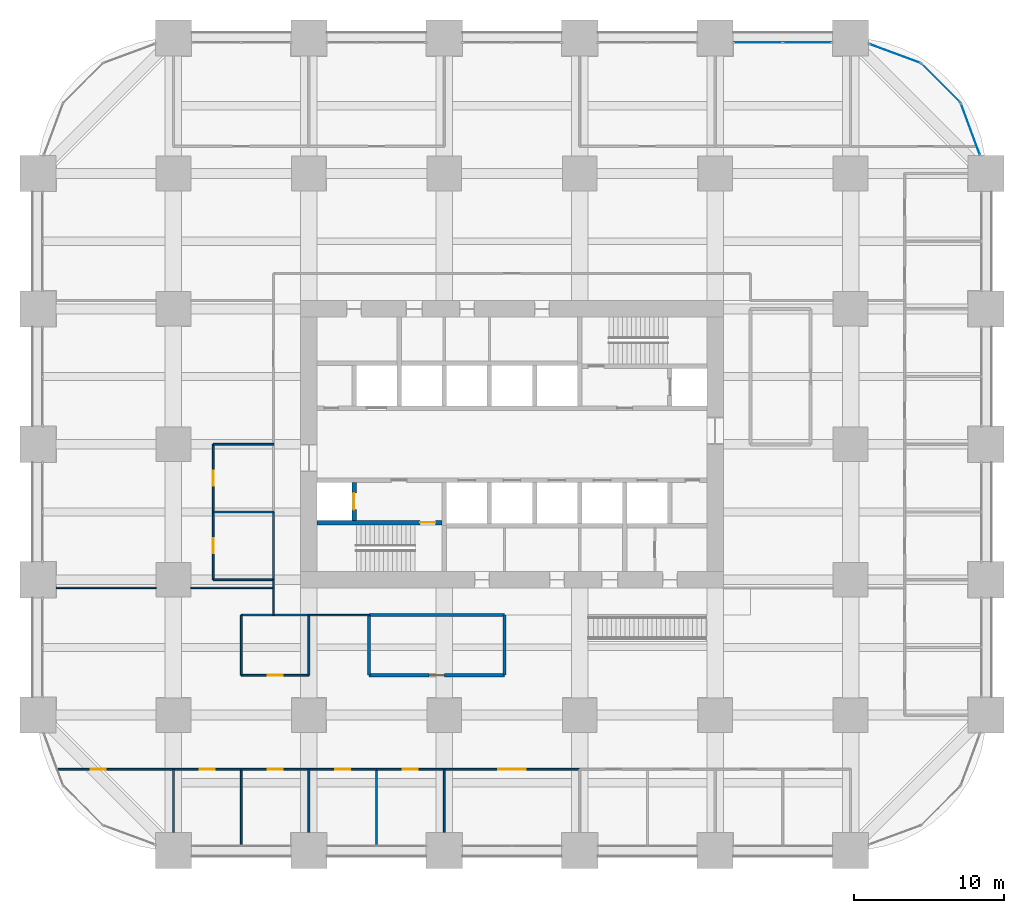
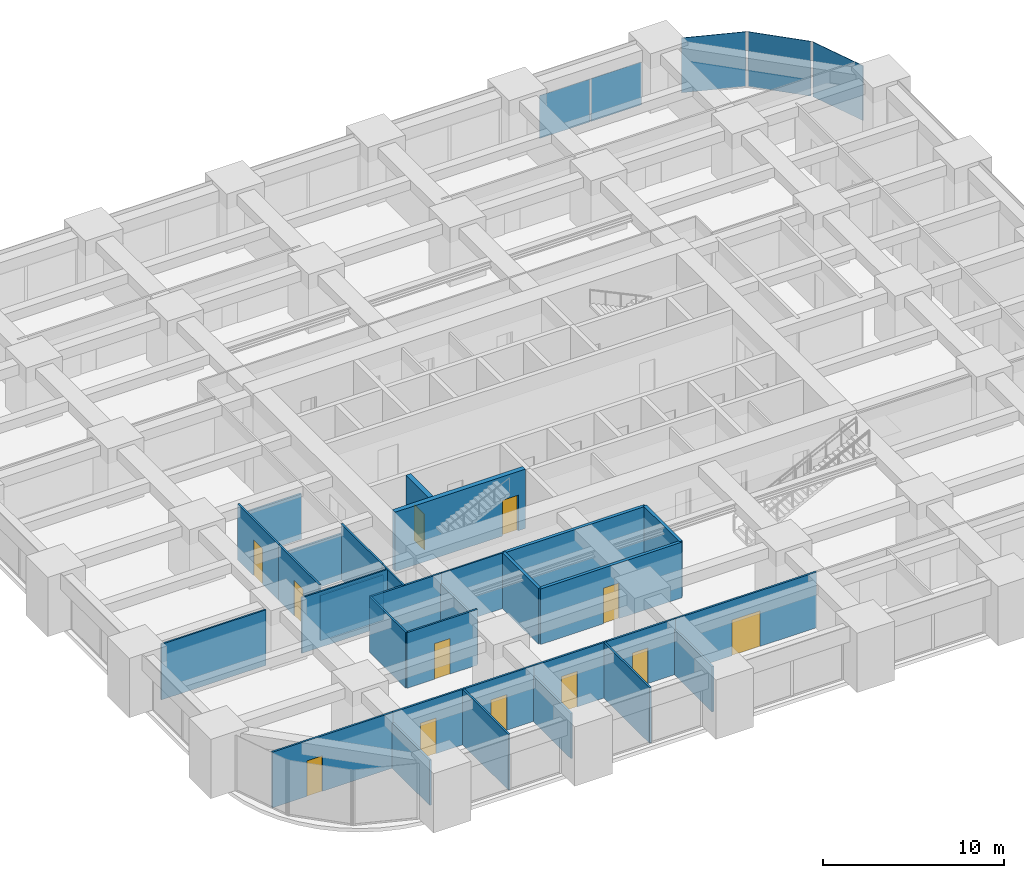
# One storey, part 39 of 45: 31 walls, 12 doors, 5 plates, 12 openings, 4 elements without a shape of their own.
"""IFC4 building model written with IfcOpenShell, lengths in metres."""

from ifc_helpers import new_model, si_unit, direction, frame, frame_2d, origin, origin_2d, place, context, subcontext, project, spatial, rectangle, extrude, material, layer, layer_set, type_object, element, fill, aggregate, save


model = new_model("IFC4")

# Units and contexts
model_context = context("Model", 3, precision=1e-05, world=origin(), true_north=direction((0.0, 1.0)))
body_context = subcontext(model_context, "Body", "Model", "MODEL_VIEW")
ifc_project = project(units=[si_unit("LENGTHUNIT", "METRE"), si_unit("AREAUNIT", "SQUARE_METRE"), si_unit("VOLUMEUNIT", "CUBIC_METRE"), si_unit("PLANEANGLEUNIT", "RADIAN"), si_unit("MASSUNIT", "GRAM", prefix="KILO")], contexts=[model_context])

# Site, building, storey
site_placement = place(None, origin())
site = spatial("IfcSite", under=ifc_project, at=site_placement, CompositionType="ELEMENT")
building_placement = place(site_placement, origin())
building = spatial("IfcBuilding", under=site, at=building_placement, Name="Zorevar Civic Tower", CompositionType="ELEMENT")
storey_placement = place(building_placement, frame((0.0, 0.0, 23.800048828125)))
storey = spatial("IfcBuildingStorey", under=building, at=storey_placement, Name="L05", CompositionType="ELEMENT", Elevation=23.800048828125)

# Curtain wall, plates
ifc_material_1 = material(Name="Dark grey solar-control glass in black aluminium frame", Category="aluminium")
curtain_wall_type = type_object("IfcCurtainWallType", Name="Curtain wall CW2 low zone", PredefinedType="NOTDEFINED", material=ifc_material_1)
curtain_wall_1_placement = place(storey_placement, origin())
curtain_wall_1 = element("IfcCurtainWall", 1, at=curtain_wall_1_placement, inside=storey, type_object=curtain_wall_type, Name="CW2 L05", PredefinedType="NOTDEFINED")
ifc_material_2 = material(Name="Dark grey solar-control glass", Category="glass")
ifc_layer_1 = layer(ifc_material_2, 0.031982421875)
ifc_layer_set_1 = layer_set([ifc_layer_1], Name="CW2 panel 32")
plate_type = type_object("IfcPlateType", Name="CW2 panel 32", PredefinedType="CURTAIN_PANEL", material=ifc_layer_set_1)
plate_1_placement = place(storey_placement, frame((47.864990234375, 53.699951171875, 0.06005859375), z_axis=(0.0, 0.0, 1.0), x_axis=(1.0, 0.0, 0.0)))
plate_1 = element("IfcPlate", 2, at=plate_1_placement, type_object=plate_type, Name="CW2 panel 1.1", PredefinedType="CURTAIN_PANEL", context=body_context, shape_type="SweptSolid", body=[
    extrude(rectangle(XDim=3.2099609375, YDim=0.031982421875, at=origin_2d()), origin(), (0.0, 0.0, 1.0), 2.889892578125),
])
plate_2_placement = place(storey_placement, frame((51.135009765625, 53.699951171875, 0.06005859375), z_axis=(0.0, 0.0, 1.0), x_axis=(1.0, 0.0, 0.0)))
plate_2 = element("IfcPlate", 3, at=plate_2_placement, type_object=plate_type, Name="CW2 panel 2.1", PredefinedType="CURTAIN_PANEL", context=body_context, shape_type="SweptSolid", body=[
    extrude(rectangle(XDim=3.2099609375, YDim=0.031982421875, at=origin_2d()), origin(), (0.0, 0.0, 1.0), 2.889892578125),
])
aggregate(curtain_wall_1, [plate_1, plate_2])

# Curtain wall, plate
curtain_wall_2_placement = place(storey_placement, origin())
curtain_wall_2 = element("IfcCurtainWall", 4, at=curtain_wall_2_placement, inside=storey, type_object=curtain_wall_type, Name="CW2 L05", PredefinedType="NOTDEFINED")
plate_3_placement = place(storey_placement, frame((61.97119140625, 47.9462890625, 0.06005859375), z_axis=(0.0, 0.0, 1.0), x_axis=(-0.346704012033, 0.937974588163, 0.0)))
plate_3 = element("IfcPlate", 5, at=plate_3_placement, type_object=plate_type, Name="CW2 panel 1.1", PredefinedType="CURTAIN_PANEL", context=body_context, shape_type="SweptSolid", body=[
    extrude(rectangle(XDim=3.603759765625, YDim=0.031982421875, at=origin_2d()), origin(), (0.0, 0.0, 1.0), 3.68994140625),
])
aggregate(curtain_wall_2, [plate_3])

curtain_wall_3_placement = place(storey_placement, origin())
curtain_wall_3 = element("IfcCurtainWall", 6, at=curtain_wall_3_placement, inside=storey, type_object=curtain_wall_type, Name="CW2 L05", PredefinedType="NOTDEFINED")
plate_4_placement = place(storey_placement, frame((60.00927734375, 51.00927734375, 0.06005859375), z_axis=(0.0, 0.0, 1.0), x_axis=(-0.707106781187, 0.707106781187, 0.0)))
plate_4 = element("IfcPlate", 7, at=plate_4_placement, type_object=plate_type, Name="CW2 panel 1.1", PredefinedType="CURTAIN_PANEL", context=body_context, shape_type="SweptSolid", body=[
    extrude(rectangle(XDim=3.603759765625, YDim=0.031982421875, at=origin_2d()), origin(), (0.0, 0.0, 1.0), 3.68994140625),
])
aggregate(curtain_wall_3, [plate_4])

curtain_wall_4_placement = place(storey_placement, origin())
curtain_wall_4 = element("IfcCurtainWall", 8, at=curtain_wall_4_placement, inside=storey, type_object=curtain_wall_type, Name="CW2 L05", PredefinedType="NOTDEFINED")
plate_5_placement = place(storey_placement, frame((56.9462890625, 52.97119140625, 0.06005859375), z_axis=(0.0, 0.0, 1.0), x_axis=(-0.937974588163, 0.346704012033, 0.0)))
plate_5 = element("IfcPlate", 9, at=plate_5_placement, type_object=plate_type, Name="CW2 panel 1.1", PredefinedType="CURTAIN_PANEL", context=body_context, shape_type="SweptSolid", body=[
    extrude(rectangle(XDim=3.603759765625, YDim=0.031982421875, at=origin_2d()), origin(), (0.0, 0.0, 1.0), 3.68994140625),
])
aggregate(curtain_wall_4, [plate_5])

# Wall, opening, door
ifc_material_3 = material(Name="Concrete blockwork", Category="masonry")
ifc_layer_2 = layer(ifc_material_3, 0.199951171875)
ifc_layer_set_2 = layer_set([ifc_layer_2], Name="Blockwork wall 200")
wall_type_1 = type_object("IfcWallType", Name="Blockwork wall 200", PredefinedType="SOLIDWALL", material=ifc_layer_set_2)
wall_1_placement = place(storey_placement, frame((22.0, 11.64990234375, 0.0), z_axis=(0.0, 0.0, 1.0), x_axis=(1.0, 0.0, 0.0)))
wall_1 = element("IfcWall", 10, at=wall_1_placement, inside=storey, type_object=wall_type_1, Name="Blockwork wall 200 L05", PredefinedType="SOLIDWALL", context=body_context, shape_type="SweptSolid", body=[
    extrude(rectangle(XDim=9.0, YDim=0.199951171875, at=frame_2d((4.5, 0.0))), origin(), (0.0, 0.0, 1.0), 3.75),
])
opening_1_placement = place(wall_1_placement, frame((4.0, 0.0, 0.0)))
opening_1 = element("IfcOpeningElement", 11, at=opening_1_placement, cuts=wall_1, Name="Opening L05.27", PredefinedType="OPENING", context=body_context, shape_type="SweptSolid", body=[
    extrude(rectangle(XDim=1.0, YDim=2.39990234375, at=frame_2d((0.5, 1.199951171875))), frame((0.0, 0.10986328125, 0.0), z_axis=(0.0, -1.0, 0.0), x_axis=(1.0, 0.0, 0.0)), (0.0, 0.0, 1.0), 0.219970703125),
])
ifc_material_4 = material(Name="Steel door set", Category="steel")
door_type_1 = type_object("IfcDoorType", Name="Security door SD1 1000x2400", OperationType="SINGLE_SWING_LEFT", PredefinedType="DOOR", material=ifc_material_4)
door_1_placement = place(opening_1_placement, origin())
door_1 = element("IfcDoor", 12, at=door_1_placement, inside=storey, type_object=door_type_1, Name="Door L05 D1", OperationType="SINGLE_SWING_LEFT", OverallHeight=2.39990234375, OverallWidth=1.0, PredefinedType="DOOR", context=body_context, shape_type="SweptSolid", body=[
    extrude(rectangle(XDim=1.0, YDim=2.39990234375, at=frame_2d((0.5, 1.199951171875))), frame((0.0, 0.03515625, 0.0), z_axis=(0.0, -1.0, 0.0), x_axis=(1.0, 0.0, 0.0)), (0.0, 0.0, 1.0), 0.070068359375),
])
fill(opening_1, door_1)

# Walls
wall_2_placement = place(storey_placement, frame((22.0, 15.64990234375, 0.0), z_axis=(0.0, 0.0, 1.0), x_axis=(1.0, 0.0, 0.0)))
element("IfcWall", 13, at=wall_2_placement, inside=storey, type_object=wall_type_1, Name="Blockwork wall 200 L05", PredefinedType="SOLIDWALL", context=body_context, shape_type="SweptSolid", body=[
    extrude(rectangle(XDim=9.0, YDim=0.199951171875, at=frame_2d((4.5, 0.0))), origin(), (0.0, 0.0, 1.0), 3.75),
])
for number, where, z_axis, x_axis, name in (
    (14, (22.0, 11.64990234375, 0.0), (0.0, 0.0, 1.0), (0.0, 1.0, 0.0), "Blockwork wall 200 L05"),
    (15, (31.0, 11.64990234375, 0.0), (0.0, 0.0, 1.0), (0.0, 1.0, 0.0), "Blockwork wall 200 L05"),
):
    element("IfcWall", number, at=place(storey_placement, frame(where, z_axis=z_axis, x_axis=x_axis)), inside=storey, type_object=wall_type_1, Name=name, PredefinedType="SOLIDWALL", context=body_context, shape_type="SweptSolid", body=[
        extrude(rectangle(XDim=4.0, YDim=0.199951171875, at=frame_2d((2.0, 0.0))), origin(), (0.0, 0.0, 1.0), 3.75),
    ])
ifc_material_5 = material(Name="Laminated glass in black aluminium frame", Category="aluminium")
ifc_layer_3 = layer(ifc_material_5, 0.10009765625)
ifc_layer_set_3 = layer_set([ifc_layer_3], Name="Glazed partition 100")
wall_type_2 = type_object("IfcWallType", Name="Glazed partition 100", PredefinedType="PARTITIONING", material=ifc_layer_set_3)
wall_3_placement = place(storey_placement, frame((18.0, 15.64990234375, 0.0), z_axis=(0.0, 0.0, 1.0), x_axis=(1.0, 0.0, 0.0)))
element("IfcWall", 16, at=wall_3_placement, inside=storey, type_object=wall_type_2, Name="Glazed partition 100 L05", PredefinedType="PARTITIONING", context=body_context, shape_type="SweptSolid", body=[
    extrude(rectangle(XDim=4.0, YDim=0.10009765625, at=frame_2d((2.0, 0.0))), origin(), (0.0, 0.0, 1.0), 3.75),
])
wall_4_placement = place(storey_placement, frame((1.199951171875, 17.449951171875, 0.0), z_axis=(0.0, 0.0, 1.0), x_axis=(1.0, 0.0, 0.0)))
element("IfcWall", 17, at=wall_4_placement, inside=storey, type_object=wall_type_2, Name="Glazed partition 100 L05", PredefinedType="PARTITIONING", context=body_context, shape_type="SweptSolid", body=[
    extrude(rectangle(XDim=6.650146484375, YDim=0.10009765625, at=frame_2d((3.3251953125, 0.0))), origin(), (0.0, 0.0, 1.0), 3.75),
])
wall_5_placement = place(storey_placement, frame((10.14990234375, 17.449951171875, 0.0), z_axis=(0.0, 0.0, 1.0), x_axis=(1.0, 0.0, 0.0)))
element("IfcWall", 18, at=wall_5_placement, inside=storey, type_object=wall_type_2, Name="Glazed partition 100 L05", PredefinedType="PARTITIONING", context=body_context, shape_type="SweptSolid", body=[
    extrude(rectangle(XDim=5.5, YDim=0.10009765625, at=frame_2d((2.75, 0.0))), origin(), (0.0, 0.0, 1.0), 3.75),
])
wall_6_placement = place(storey_placement, frame((15.64990234375, 15.64990234375, 0.0), z_axis=(0.0, 0.0, 1.0), x_axis=(0.0, 1.0, 0.0)))
element("IfcWall", 19, at=wall_6_placement, inside=storey, type_object=wall_type_2, Name="Glazed partition 100 L05", PredefinedType="PARTITIONING", context=body_context, shape_type="SweptSolid", body=[
    extrude(rectangle(XDim=2.35009765625, YDim=0.10009765625, at=frame_2d((1.175048828125, 0.0))), origin(), (0.0, 0.0, 1.0), 3.75),
])

# Wall, opening, door
ifc_material_6 = material(Name="Concrete C40/50", Category="concrete")
ifc_layer_4 = layer(ifc_material_6, 0.300048828125)
ifc_layer_set_4 = layer_set([ifc_layer_4], Name="Inner core wall 300")
wall_type_3 = type_object("IfcWallType", Name="Inner core wall 300", PredefinedType="SHEAR", material=ifc_layer_set_4)
wall_7_placement = place(storey_placement, frame((18.550048828125, 21.800048828125, 0.0), z_axis=(0.0, 0.0, 1.0), x_axis=(1.0, 0.0, 0.0)))
wall_7 = element("IfcWall", 20, at=wall_7_placement, inside=storey, type_object=wall_type_3, Name="Inner core wall S00 L05", PredefinedType="SHEAR", context=body_context, shape_type="SweptSolid", body=[
    extrude(rectangle(XDim=8.300048828125, YDim=0.300048828125, at=frame_2d((4.14990234375, 0.0))), origin(), (0.0, 0.0, 1.0), 4.0),
])
opening_2_placement = place(wall_7_placement, frame((6.85009765625, 0.0, 0.0)))
opening_2 = element("IfcOpeningElement", 21, at=opening_2_placement, cuts=wall_7, Name="Opening L05.11", PredefinedType="OPENING", context=body_context, shape_type="SweptSolid", body=[
    extrude(rectangle(XDim=1.0, YDim=2.39990234375, at=frame_2d((0.5, 1.199951171875))), frame((0.0, 0.159912109375, 0.0), z_axis=(0.0, -1.0, 0.0), x_axis=(1.0, 0.0, 0.0)), (0.0, 0.0, 1.0), 0.320068359375),
])
ifc_material_7 = material(Name="Steel door set", Category="steel")
door_type_2 = type_object("IfcDoorType", Name="Fire door FD1 1000x2400", OperationType="SINGLE_SWING_LEFT", PredefinedType="DOOR", material=ifc_material_7)
door_2_placement = place(opening_2_placement, origin())
door_2 = element("IfcDoor", 22, at=door_2_placement, inside=storey, type_object=door_type_2, Name="Door L05 10", OperationType="SINGLE_SWING_RIGHT", OverallHeight=2.39990234375, OverallWidth=1.0, PredefinedType="DOOR", context=body_context, shape_type="SweptSolid", body=[
    extrude(rectangle(XDim=1.0, YDim=2.39990234375, at=frame_2d((0.5, 1.199951171875))), frame((0.0, 0.030029296875, 0.0), z_axis=(0.0, -1.0, 0.0), x_axis=(1.0, 0.0, 0.0)), (0.0, 0.0, 1.0), 0.06005859375),
])
fill(opening_2, door_2)

wall_8_placement = place(storey_placement, frame((21.0, 21.949951171875, 0.0), z_axis=(0.0, 0.0, 1.0), x_axis=(0.0, 1.0, 0.0)))
wall_8 = element("IfcWall", 23, at=wall_8_placement, inside=storey, type_object=wall_type_3, Name="Inner core wall S02 L05", PredefinedType="SHEAR", context=body_context, shape_type="SweptSolid", body=[
    extrude(rectangle(XDim=2.5, YDim=0.300048828125, at=frame_2d((1.25, 0.0))), origin(), (0.0, 0.0, 1.0), 4.0),
])
opening_3_placement = place(wall_8_placement, frame((0.699951171875, 0.0, 0.0)))
opening_3 = element("IfcOpeningElement", 24, at=opening_3_placement, cuts=wall_8, Name="Opening L05.FL1", PredefinedType="OPENING", context=body_context, shape_type="SweptSolid", body=[
    extrude(rectangle(XDim=1.10009765625, YDim=2.39990234375, at=frame_2d((0.550048828125, 1.199951171875))), frame((0.0, 0.159912109375, 0.0), z_axis=(0.0, -1.0, 0.0), x_axis=(1.0, 0.0, 0.0)), (0.0, 0.0, 1.0), 0.320068359375),
])
ifc_material_8 = material(Name="Steel door set", Category="steel")
door_type_3 = type_object("IfcDoorType", Name="Firefighting lift landing door LD3 1100x2400", OperationType="DOUBLE_DOOR_SLIDING", PredefinedType="DOOR", material=ifc_material_8)
door_3_placement = place(opening_3_placement, origin())
door_3 = element("IfcDoor", 25, at=door_3_placement, inside=storey, type_object=door_type_3, Name="Landing door FL1 L05", OperationType="DOUBLE_DOOR_SLIDING", OverallHeight=2.39990234375, OverallWidth=1.10009765625, PredefinedType="DOOR", context=body_context, shape_type="SweptSolid", body=[
    extrude(rectangle(XDim=1.10009765625, YDim=2.39990234375, at=frame_2d((0.550048828125, 1.199951171875))), frame((0.0, 0.030029296875, 0.0), z_axis=(0.0, -1.0, 0.0), x_axis=(1.0, 0.0, 0.0)), (0.0, 0.0, 1.0), 0.06005859375),
])
fill(opening_3, door_3)

ifc_material_9 = material(Name="Gypsum board on steel studs", Category="steel")
ifc_layer_5 = layer(ifc_material_9, 0.1201171875)
ifc_layer_set_5 = layer_set([ifc_layer_5], Name="Partition 120")
wall_type_4 = type_object("IfcWallType", Name="Partition 120", PredefinedType="PARTITIONING", material=ifc_layer_set_5)
wall_9_placement = place(storey_placement, frame((9.0, 5.39990234375, 0.0), z_axis=(0.0, 0.0, 1.0), x_axis=(1.0, 0.0, 0.0)))
wall_9 = element("IfcWall", 26, at=wall_9_placement, inside=storey, type_object=wall_type_4, Name="Partition 120 L05", PredefinedType="PARTITIONING", context=body_context, shape_type="SweptSolid", body=[
    extrude(rectangle(XDim=4.5, YDim=0.1201171875, at=frame_2d((2.25, 0.0))), origin(), (0.0, 0.0, 1.0), 3.75),
])
opening_4_placement = place(wall_9_placement, frame((1.75, 0.0, 0.0)))
opening_4 = element("IfcOpeningElement", 27, at=opening_4_placement, cuts=wall_9, Name="Opening L05.17", PredefinedType="OPENING", context=body_context, shape_type="SweptSolid", body=[
    extrude(rectangle(XDim=1.0, YDim=2.39990234375, at=frame_2d((0.5, 1.199951171875))), frame((0.0, 0.070068359375, 0.0), z_axis=(0.0, -1.0, 0.0), x_axis=(1.0, 0.0, 0.0)), (0.0, 0.0, 1.0), 0.14013671875),
])
ifc_material_10 = material(Name="Timber door set", Category="wood")
door_type_4 = type_object("IfcDoorType", Name="Door D1 1000x2400", OperationType="SINGLE_SWING_LEFT", PredefinedType="DOOR", material=ifc_material_10)
door_4_placement = place(opening_4_placement, origin())
door_4 = element("IfcDoor", 28, at=door_4_placement, inside=storey, type_object=door_type_4, Name="Door L05 D1", OperationType="SINGLE_SWING_RIGHT", OverallHeight=2.39990234375, OverallWidth=1.0, PredefinedType="DOOR", context=body_context, shape_type="SweptSolid", body=[
    extrude(rectangle(XDim=1.0, YDim=2.39990234375, at=frame_2d((0.5, 1.199951171875))), frame((0.0, 0.02490234375, 0.0), z_axis=(0.0, -1.0, 0.0), x_axis=(1.0, 0.0, 0.0)), (0.0, 0.0, 1.0), 0.050048828125),
])
fill(opening_4, door_4)

wall_10_placement = place(storey_placement, frame((13.5, 5.39990234375, 0.0), z_axis=(0.0, 0.0, 1.0), x_axis=(1.0, 0.0, 0.0)))
wall_10 = element("IfcWall", 29, at=wall_10_placement, inside=storey, type_object=wall_type_4, Name="Partition 120 L05", PredefinedType="PARTITIONING", context=body_context, shape_type="SweptSolid", body=[
    extrude(rectangle(XDim=4.5, YDim=0.1201171875, at=frame_2d((2.25, 0.0))), origin(), (0.0, 0.0, 1.0), 3.75),
])
opening_5_placement = place(wall_10_placement, frame((1.75, 0.0, 0.0)))
opening_5 = element("IfcOpeningElement", 30, at=opening_5_placement, cuts=wall_10, Name="Opening L05.18", PredefinedType="OPENING", context=body_context, shape_type="SweptSolid", body=[
    extrude(rectangle(XDim=1.0, YDim=2.39990234375, at=frame_2d((0.5, 1.199951171875))), frame((0.0, 0.070068359375, 0.0), z_axis=(0.0, -1.0, 0.0), x_axis=(1.0, 0.0, 0.0)), (0.0, 0.0, 1.0), 0.14013671875),
])
door_5_placement = place(opening_5_placement, origin())
door_5 = element("IfcDoor", 31, at=door_5_placement, inside=storey, type_object=door_type_4, Name="Door L05 D1", OperationType="SINGLE_SWING_RIGHT", OverallHeight=2.39990234375, OverallWidth=1.0, PredefinedType="DOOR", context=body_context, shape_type="SweptSolid", body=[
    extrude(rectangle(XDim=1.0, YDim=2.39990234375, at=frame_2d((0.5, 1.199951171875))), frame((0.0, 0.02490234375, 0.0), z_axis=(0.0, -1.0, 0.0), x_axis=(1.0, 0.0, 0.0)), (0.0, 0.0, 1.0), 0.050048828125),
])
fill(opening_5, door_5)

wall_11_placement = place(storey_placement, frame((18.0, 5.39990234375, 0.0), z_axis=(0.0, 0.0, 1.0), x_axis=(1.0, 0.0, 0.0)))
wall_11 = element("IfcWall", 32, at=wall_11_placement, inside=storey, type_object=wall_type_4, Name="Partition 120 L05", PredefinedType="PARTITIONING", context=body_context, shape_type="SweptSolid", body=[
    extrude(rectangle(XDim=4.5, YDim=0.1201171875, at=frame_2d((2.25, 0.0))), origin(), (0.0, 0.0, 1.0), 3.75),
])
opening_6_placement = place(wall_11_placement, frame((1.75, 0.0, 0.0)))
opening_6 = element("IfcOpeningElement", 33, at=opening_6_placement, cuts=wall_11, Name="Opening L05.19", PredefinedType="OPENING", context=body_context, shape_type="SweptSolid", body=[
    extrude(rectangle(XDim=1.0, YDim=2.39990234375, at=frame_2d((0.5, 1.199951171875))), frame((0.0, 0.070068359375, 0.0), z_axis=(0.0, -1.0, 0.0), x_axis=(1.0, 0.0, 0.0)), (0.0, 0.0, 1.0), 0.14013671875),
])
door_6_placement = place(opening_6_placement, origin())
door_6 = element("IfcDoor", 34, at=door_6_placement, inside=storey, type_object=door_type_4, Name="Door L05 D1", OperationType="SINGLE_SWING_RIGHT", OverallHeight=2.39990234375, OverallWidth=1.0, PredefinedType="DOOR", context=body_context, shape_type="SweptSolid", body=[
    extrude(rectangle(XDim=1.0, YDim=2.39990234375, at=frame_2d((0.5, 1.199951171875))), frame((0.0, 0.02490234375, 0.0), z_axis=(0.0, -1.0, 0.0), x_axis=(1.0, 0.0, 0.0)), (0.0, 0.0, 1.0), 0.050048828125),
])
fill(opening_6, door_6)

wall_12_placement = place(storey_placement, frame((22.5, 5.39990234375, 0.0), z_axis=(0.0, 0.0, 1.0), x_axis=(1.0, 0.0, 0.0)))
wall_12 = element("IfcWall", 35, at=wall_12_placement, inside=storey, type_object=wall_type_4, Name="Partition 120 L05", PredefinedType="PARTITIONING", context=body_context, shape_type="SweptSolid", body=[
    extrude(rectangle(XDim=4.5, YDim=0.1201171875, at=frame_2d((2.25, 0.0))), origin(), (0.0, 0.0, 1.0), 3.75),
])
opening_7_placement = place(wall_12_placement, frame((1.75, 0.0, 0.0)))
opening_7 = element("IfcOpeningElement", 36, at=opening_7_placement, cuts=wall_12, Name="Opening L05.20", PredefinedType="OPENING", context=body_context, shape_type="SweptSolid", body=[
    extrude(rectangle(XDim=1.0, YDim=2.39990234375, at=frame_2d((0.5, 1.199951171875))), frame((0.0, 0.070068359375, 0.0), z_axis=(0.0, -1.0, 0.0), x_axis=(1.0, 0.0, 0.0)), (0.0, 0.0, 1.0), 0.14013671875),
])
door_7_placement = place(opening_7_placement, origin())
door_7 = element("IfcDoor", 37, at=door_7_placement, inside=storey, type_object=door_type_4, Name="Door L05 D1", OperationType="SINGLE_SWING_RIGHT", OverallHeight=2.39990234375, OverallWidth=1.0, PredefinedType="DOOR", context=body_context, shape_type="SweptSolid", body=[
    extrude(rectangle(XDim=1.0, YDim=2.39990234375, at=frame_2d((0.5, 1.199951171875))), frame((0.0, 0.02490234375, 0.0), z_axis=(0.0, -1.0, 0.0), x_axis=(1.0, 0.0, 0.0)), (0.0, 0.0, 1.0), 0.050048828125),
])
fill(opening_7, door_7)

wall_13_placement = place(storey_placement, frame((27.0, 5.39990234375, 0.0), z_axis=(0.0, 0.0, 1.0), x_axis=(1.0, 0.0, 0.0)))
wall_13 = element("IfcWall", 38, at=wall_13_placement, inside=storey, type_object=wall_type_4, Name="Partition 120 L05", PredefinedType="PARTITIONING", context=body_context, shape_type="SweptSolid", body=[
    extrude(rectangle(XDim=9.0, YDim=0.1201171875, at=frame_2d((4.5, 0.0))), origin(), (0.0, 0.0, 1.0), 3.75),
])
opening_8_placement = place(wall_13_placement, frame((3.60009765625, 0.0, 0.0)))
opening_8 = element("IfcOpeningElement", 39, at=opening_8_placement, cuts=wall_13, Name="Opening L05.21", PredefinedType="OPENING", context=body_context, shape_type="SweptSolid", body=[
    extrude(rectangle(XDim=1.800048828125, YDim=2.39990234375, at=frame_2d((0.89990234375, 1.199951171875))), frame((0.0, 0.070068359375, 0.0), z_axis=(0.0, -1.0, 0.0), x_axis=(1.0, 0.0, 0.0)), (0.0, 0.0, 1.0), 0.14013671875),
])
ifc_material_11 = material(Name="Steel door set", Category="steel")
door_type_5 = type_object("IfcDoorType", Name="Door D2 1800x2400", OperationType="DOUBLE_DOOR_SINGLE_SWING", PredefinedType="DOOR", material=ifc_material_11)
door_8_placement = place(opening_8_placement, origin())
door_8 = element("IfcDoor", 40, at=door_8_placement, inside=storey, type_object=door_type_5, Name="Door L05 D1", OperationType="DOUBLE_DOOR_SINGLE_SWING", OverallHeight=2.39990234375, OverallWidth=1.800048828125, PredefinedType="DOOR", context=body_context, shape_type="SweptSolid", body=[
    extrude(rectangle(XDim=1.800048828125, YDim=2.39990234375, at=frame_2d((0.89990234375, 1.199951171875))), frame((0.0, 0.02490234375, 0.0), z_axis=(0.0, -1.0, 0.0), x_axis=(1.0, 0.0, 0.0)), (0.0, 0.0, 1.0), 0.050048828125),
])
fill(opening_8, door_8)

wall_14_placement = place(storey_placement, frame((1.3095703125, 5.39990234375, 0.0), z_axis=(0.0, 0.0, 1.0), x_axis=(1.0, 0.0, 0.0)))
wall_14 = element("IfcWall", 41, at=wall_14_placement, inside=storey, type_object=wall_type_4, Name="Partition 120 L05", PredefinedType="PARTITIONING", context=body_context, shape_type="SweptSolid", body=[
    extrude(rectangle(XDim=7.6904296875, YDim=0.1201171875, at=frame_2d((3.84521484375, 0.0))), origin(), (0.0, 0.0, 1.0), 3.75),
])
opening_9_placement = place(wall_14_placement, frame((2.1904296875, 0.0, 0.0)))
opening_9 = element("IfcOpeningElement", 42, at=opening_9_placement, cuts=wall_14, Name="Opening L05.26", PredefinedType="OPENING", context=body_context, shape_type="SweptSolid", body=[
    extrude(rectangle(XDim=1.0, YDim=2.39990234375, at=frame_2d((0.5, 1.199951171875))), frame((0.0, 0.070068359375, 0.0), z_axis=(0.0, -1.0, 0.0), x_axis=(1.0, 0.0, 0.0)), (0.0, 0.0, 1.0), 0.14013671875),
])
door_9_placement = place(opening_9_placement, origin())
door_9 = element("IfcDoor", 43, at=door_9_placement, inside=storey, type_object=door_type_4, Name="Door L05 D1", OperationType="SINGLE_SWING_RIGHT", OverallHeight=2.39990234375, OverallWidth=1.0, PredefinedType="DOOR", context=body_context, shape_type="SweptSolid", body=[
    extrude(rectangle(XDim=1.0, YDim=2.39990234375, at=frame_2d((0.5, 1.199951171875))), frame((0.0, 0.02490234375, 0.0), z_axis=(0.0, -1.0, 0.0), x_axis=(1.0, 0.0, 0.0)), (0.0, 0.0, 1.0), 0.050048828125),
])
fill(opening_9, door_9)

wall_15_placement = place(storey_placement, frame((13.5, 11.64990234375, 0.0), z_axis=(0.0, 0.0, 1.0), x_axis=(1.0, 0.0, 0.0)))
wall_15 = element("IfcWall", 44, at=wall_15_placement, inside=storey, type_object=wall_type_4, Name="Partition 120 L05", PredefinedType="PARTITIONING", context=body_context, shape_type="SweptSolid", body=[
    extrude(rectangle(XDim=4.5, YDim=0.1201171875, at=frame_2d((2.25, 0.0))), origin(), (0.0, 0.0, 1.0), 3.75),
])
opening_10_placement = place(wall_15_placement, frame((1.75, 0.0, 0.0)))
opening_10 = element("IfcOpeningElement", 45, at=opening_10_placement, cuts=wall_15, Name="Opening L05.28", PredefinedType="OPENING", context=body_context, shape_type="SweptSolid", body=[
    extrude(rectangle(XDim=1.0, YDim=2.39990234375, at=frame_2d((0.5, 1.199951171875))), frame((0.0, 0.070068359375, 0.0), z_axis=(0.0, -1.0, 0.0), x_axis=(1.0, 0.0, 0.0)), (0.0, 0.0, 1.0), 0.14013671875),
])
door_10_placement = place(opening_10_placement, origin())
door_10 = element("IfcDoor", 46, at=door_10_placement, inside=storey, type_object=door_type_4, Name="Door L05 D1", OperationType="SINGLE_SWING_LEFT", OverallHeight=2.39990234375, OverallWidth=1.0, PredefinedType="DOOR", context=body_context, shape_type="SweptSolid", body=[
    extrude(rectangle(XDim=1.0, YDim=2.39990234375, at=frame_2d((0.5, 1.199951171875))), frame((0.0, 0.02490234375, 0.0), z_axis=(0.0, -1.0, 0.0), x_axis=(1.0, 0.0, 0.0)), (0.0, 0.0, 1.0), 0.050048828125),
])
fill(opening_10, door_10)

# Walls
wall_16_placement = place(storey_placement, frame((13.5, 15.64990234375, 0.0), z_axis=(0.0, 0.0, 1.0), x_axis=(1.0, 0.0, 0.0)))
element("IfcWall", 47, at=wall_16_placement, inside=storey, type_object=wall_type_4, Name="Partition 120 L05", PredefinedType="PARTITIONING", context=body_context, shape_type="SweptSolid", body=[
    extrude(rectangle(XDim=4.5, YDim=0.1201171875, at=frame_2d((2.25, 0.0))), origin(), (0.0, 0.0, 1.0), 3.75),
])
wall_17_placement = place(storey_placement, frame((11.64990234375, 18.0, 0.0), z_axis=(0.0, 0.0, 1.0), x_axis=(1.0, 0.0, 0.0)))
element("IfcWall", 48, at=wall_17_placement, inside=storey, type_object=wall_type_4, Name="Partition 120 L05", PredefinedType="PARTITIONING", context=body_context, shape_type="SweptSolid", body=[
    extrude(rectangle(XDim=4.0, YDim=0.1201171875, at=frame_2d((2.0, 0.0))), origin(), (0.0, 0.0, 1.0), 3.050048828125),
])
wall_18_placement = place(storey_placement, frame((11.64990234375, 22.5, 0.0), z_axis=(0.0, 0.0, 1.0), x_axis=(1.0, 0.0, 0.0)))
element("IfcWall", 49, at=wall_18_placement, inside=storey, type_object=wall_type_4, Name="Partition 120 L05", PredefinedType="PARTITIONING", context=body_context, shape_type="SweptSolid", body=[
    extrude(rectangle(XDim=4.0, YDim=0.1201171875, at=frame_2d((2.0, 0.0))), origin(), (0.0, 0.0, 1.0), 3.099853515625),
])
wall_19_placement = place(storey_placement, frame((11.64990234375, 27.0, 0.0), z_axis=(0.0, 0.0, 1.0), x_axis=(1.0, 0.0, 0.0)))
element("IfcWall", 50, at=wall_19_placement, inside=storey, type_object=wall_type_4, Name="Partition 120 L05", PredefinedType="PARTITIONING", context=body_context, shape_type="SweptSolid", body=[
    extrude(rectangle(XDim=4.0, YDim=0.1201171875, at=frame_2d((2.0, 0.0))), origin(), (0.0, 0.0, 1.0), 3.050048828125),
])
wall_20_placement = place(storey_placement, frame((9.0, 1.199951171875, 0.0), z_axis=(0.0, 0.0, 1.0), x_axis=(0.0, 1.0, 0.0)))
element("IfcWall", 51, at=wall_20_placement, inside=storey, type_object=wall_type_4, Name="Partition 120 L05", PredefinedType="PARTITIONING", context=body_context, shape_type="SweptSolid", body=[
    extrude(rectangle(XDim=4.199951171875, YDim=0.1201171875, at=frame_2d((2.10009765625, 0.0))), origin(), (0.0, 0.0, 1.0), 3.050048828125),
])

# Wall, opening, door
wall_21_placement = place(storey_placement, frame((11.64990234375, 22.5, 0.0), z_axis=(0.0, 0.0, 1.0), x_axis=(0.0, 1.0, 0.0)))
wall_21 = element("IfcWall", 52, at=wall_21_placement, inside=storey, type_object=wall_type_4, Name="Partition 120 L05", PredefinedType="PARTITIONING", context=body_context, shape_type="SweptSolid", body=[
    extrude(rectangle(XDim=4.5, YDim=0.1201171875, at=frame_2d((2.25, 0.0))), origin(), (0.0, 0.0, 1.0), 3.75),
])
opening_11_placement = place(wall_21_placement, frame((1.75, 0.0, 0.0)))
opening_11 = element("IfcOpeningElement", 53, at=opening_11_placement, cuts=wall_21, Name="Opening L05.35", PredefinedType="OPENING", context=body_context, shape_type="SweptSolid", body=[
    extrude(rectangle(XDim=1.0, YDim=2.39990234375, at=frame_2d((0.5, 1.199951171875))), frame((0.0, 0.070068359375, 0.0), z_axis=(0.0, -1.0, 0.0), x_axis=(1.0, 0.0, 0.0)), (0.0, 0.0, 1.0), 0.14013671875),
])
door_11_placement = place(opening_11_placement, origin())
door_11 = element("IfcDoor", 54, at=door_11_placement, inside=storey, type_object=door_type_4, Name="Door L05 D1", OperationType="SINGLE_SWING_RIGHT", OverallHeight=2.39990234375, OverallWidth=1.0, PredefinedType="DOOR", context=body_context, shape_type="SweptSolid", body=[
    extrude(rectangle(XDim=1.0, YDim=2.39990234375, at=frame_2d((0.5, 1.199951171875))), frame((0.0, 0.02490234375, 0.0), z_axis=(0.0, -1.0, 0.0), x_axis=(1.0, 0.0, 0.0)), (0.0, 0.0, 1.0), 0.050048828125),
])
fill(opening_11, door_11)

wall_22_placement = place(storey_placement, frame((11.64990234375, 18.0, 0.0), z_axis=(0.0, 0.0, 1.0), x_axis=(0.0, 1.0, 0.0)))
wall_22 = element("IfcWall", 55, at=wall_22_placement, inside=storey, type_object=wall_type_4, Name="Partition 120 L05", PredefinedType="PARTITIONING", context=body_context, shape_type="SweptSolid", body=[
    extrude(rectangle(XDim=4.5, YDim=0.1201171875, at=frame_2d((2.25, 0.0))), origin(), (0.0, 0.0, 1.0), 3.75),
])
opening_12_placement = place(wall_22_placement, frame((1.75, 0.0, 0.0)))
opening_12 = element("IfcOpeningElement", 56, at=opening_12_placement, cuts=wall_22, Name="Opening L05.36", PredefinedType="OPENING", context=body_context, shape_type="SweptSolid", body=[
    extrude(rectangle(XDim=1.0, YDim=2.39990234375, at=frame_2d((0.5, 1.199951171875))), frame((0.0, 0.070068359375, 0.0), z_axis=(0.0, -1.0, 0.0), x_axis=(1.0, 0.0, 0.0)), (0.0, 0.0, 1.0), 0.14013671875),
])
door_12_placement = place(opening_12_placement, origin())
door_12 = element("IfcDoor", 57, at=door_12_placement, inside=storey, type_object=door_type_4, Name="Door L05 D1", OperationType="SINGLE_SWING_RIGHT", OverallHeight=2.39990234375, OverallWidth=1.0, PredefinedType="DOOR", context=body_context, shape_type="SweptSolid", body=[
    extrude(rectangle(XDim=1.0, YDim=2.39990234375, at=frame_2d((0.5, 1.199951171875))), frame((0.0, 0.02490234375, 0.0), z_axis=(0.0, -1.0, 0.0), x_axis=(1.0, 0.0, 0.0)), (0.0, 0.0, 1.0), 0.050048828125),
])
fill(opening_12, door_12)

# Walls
wall_23_placement = place(storey_placement, frame((13.5, 0.31005859375, 0.0), z_axis=(0.0, 0.0, 1.0), x_axis=(0.0, 1.0, 0.0)))
element("IfcWall", 58, at=wall_23_placement, inside=storey, type_object=wall_type_4, Name="Partition 120 L05", PredefinedType="PARTITIONING", context=body_context, shape_type="SweptSolid", body=[
    extrude(rectangle(XDim=5.08984375, YDim=0.1201171875, at=frame_2d((2.544921875, 0.0))), origin(), (0.0, 0.0, 1.0), 3.75),
])
wall_24_placement = place(storey_placement, frame((13.5, 11.64990234375, 0.0), z_axis=(0.0, 0.0, 1.0), x_axis=(0.0, 1.0, 0.0)))
element("IfcWall", 59, at=wall_24_placement, inside=storey, type_object=wall_type_4, Name="Partition 120 L05", PredefinedType="PARTITIONING", context=body_context, shape_type="SweptSolid", body=[
    extrude(rectangle(XDim=4.0, YDim=0.1201171875, at=frame_2d((2.0, 0.0))), origin(), (0.0, 0.0, 1.0), 3.75),
])
wall_25_placement = place(storey_placement, frame((15.64990234375, 18.0, 0.0), z_axis=(0.0, 0.0, 1.0), x_axis=(0.0, 1.0, 0.0)))
element("IfcWall", 60, at=wall_25_placement, inside=storey, type_object=wall_type_4, Name="Partition 120 L05", PredefinedType="PARTITIONING", context=body_context, shape_type="SweptSolid", body=[
    extrude(rectangle(XDim=4.5, YDim=0.1201171875, at=frame_2d((2.25, 0.0))), origin(), (0.0, 0.0, 1.0), 3.75),
])
wall_26_placement = place(storey_placement, frame((18.0, 1.199951171875, 0.0), z_axis=(0.0, 0.0, 1.0), x_axis=(0.0, 1.0, 0.0)))
element("IfcWall", 61, at=wall_26_placement, inside=storey, type_object=wall_type_4, Name="Partition 120 L05", PredefinedType="PARTITIONING", context=body_context, shape_type="SweptSolid", body=[
    extrude(rectangle(XDim=4.199951171875, YDim=0.1201171875, at=frame_2d((2.10009765625, 0.0))), origin(), (0.0, 0.0, 1.0), 3.050048828125),
])
wall_27_placement = place(storey_placement, frame((18.0, 11.64990234375, 0.0), z_axis=(0.0, 0.0, 1.0), x_axis=(0.0, 1.0, 0.0)))
element("IfcWall", 62, at=wall_27_placement, inside=storey, type_object=wall_type_4, Name="Partition 120 L05", PredefinedType="PARTITIONING", context=body_context, shape_type="SweptSolid", body=[
    extrude(rectangle(XDim=4.0, YDim=0.1201171875, at=frame_2d((2.0, 0.0))), origin(), (0.0, 0.0, 1.0), 3.050048828125),
])
wall_28_placement = place(storey_placement, frame((22.5, 0.31005859375, 0.0), z_axis=(0.0, 0.0, 1.0), x_axis=(0.0, 1.0, 0.0)))
element("IfcWall", 63, at=wall_28_placement, inside=storey, type_object=wall_type_4, Name="Partition 120 L05", PredefinedType="PARTITIONING", context=body_context, shape_type="SweptSolid", body=[
    extrude(rectangle(XDim=5.08984375, YDim=0.1201171875, at=frame_2d((2.544921875, 0.0))), origin(), (0.0, 0.0, 1.0), 3.75),
])
wall_29_placement = place(storey_placement, frame((27.0, 1.199951171875, 0.0), z_axis=(0.0, 0.0, 1.0), x_axis=(0.0, 1.0, 0.0)))
element("IfcWall", 64, at=wall_29_placement, inside=storey, type_object=wall_type_4, Name="Partition 120 L05", PredefinedType="PARTITIONING", context=body_context, shape_type="SweptSolid", body=[
    extrude(rectangle(XDim=4.199951171875, YDim=0.1201171875, at=frame_2d((2.10009765625, 0.0))), origin(), (0.0, 0.0, 1.0), 3.050048828125),
])

save(model, "model.ifc")
